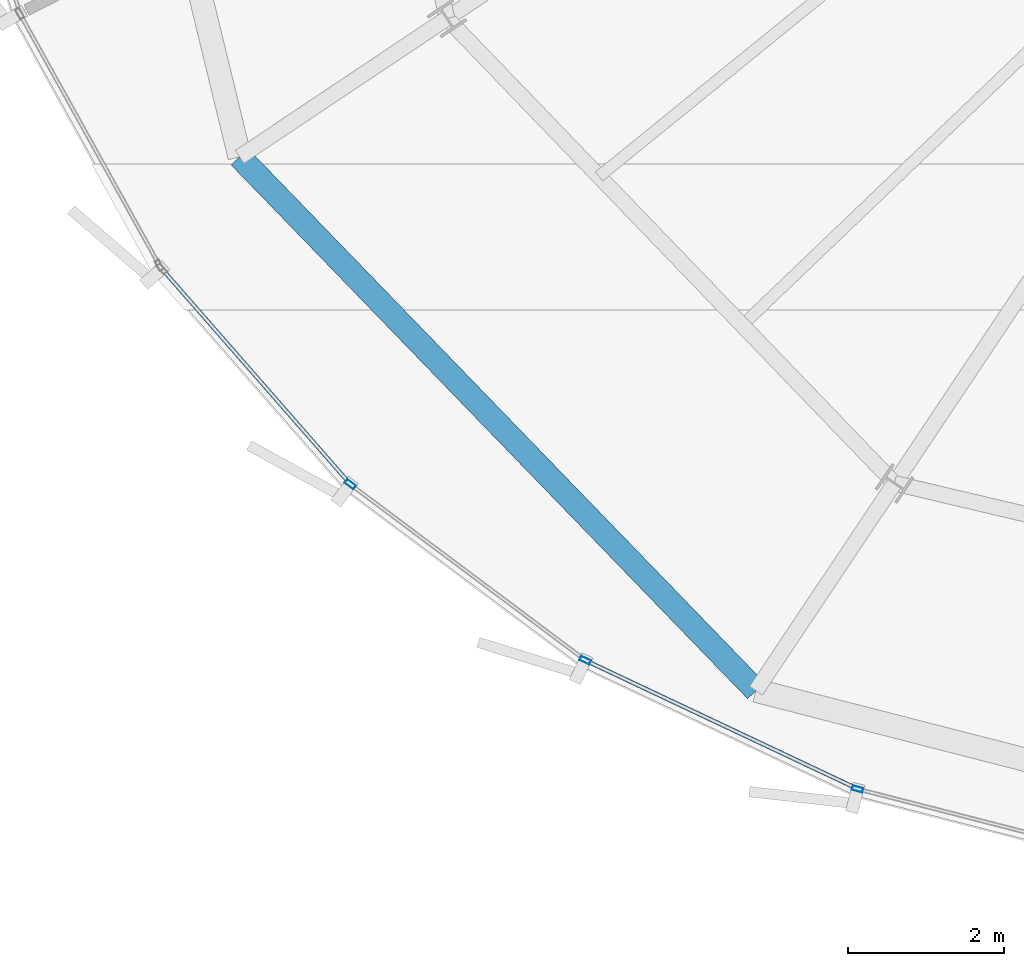
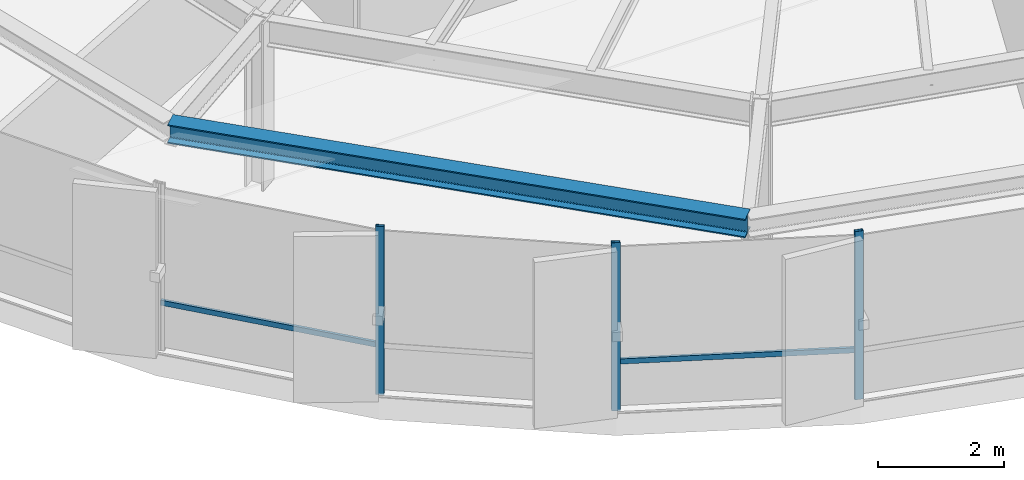
# One storey, part 2 of 36: 5 members, 1 beam, 1 element without a shape of its own.
"""IFC4 building model written with IfcOpenShell, lengths in metres."""

from ifc_helpers import new_model, si_unit, direction, frame, origin, origin_2d, place, context, subcontext, project, spatial, hollow_rectangle, i_section, extrude, source, transform, mapped, material, layer, layer_set, material_profile, profile_set, type_object, element, aggregate, save


model = new_model("IFC4")

# Units and contexts
model_context = context("Model", 3, precision=1e-05, world=origin(), true_north=direction((0.0, 1.0)))
body_context = subcontext(model_context, "Body", "Model", "MODEL_VIEW")
ifc_project = project(units=[si_unit("LENGTHUNIT", "METRE"), si_unit("AREAUNIT", "SQUARE_METRE"), si_unit("VOLUMEUNIT", "CUBIC_METRE"), si_unit("PLANEANGLEUNIT", "RADIAN"), si_unit("MASSUNIT", "GRAM", prefix="KILO"), si_unit("THERMODYNAMICTEMPERATUREUNIT", "KELVIN")], contexts=[model_context])

# Site, building, storey
site_placement = place(None, origin())
site = spatial("IfcSite", under=ifc_project, at=site_placement, CompositionType="ELEMENT")
building_placement = place(site_placement, origin())
building = spatial("IfcBuilding", under=site, at=building_placement, Name="Kethvar Cultural Tower", CompositionType="ELEMENT")
storey_placement = place(building_placement, frame((0.0, 0.0, 176.39990234375)))
storey = spatial("IfcBuildingStorey", under=building, at=storey_placement, Name="L45", CompositionType="ELEMENT", Elevation=176.39990234375)

# Beam
ifc_material_1 = material(Name="Steel S355J2", Category="steel")
ifc_material_profile_1 = material_profile(ifc_material_1, i_section(OverallWidth=0.300048828125, OverallDepth=0.360107421875, WebThickness=0.012451171875, FlangeThickness=0.0224609375, FilletRadius=0.027099609375, at=origin_2d()), Name="Steel S355J2 — HEB360")
ifc_profile_set_1 = profile_set([ifc_material_profile_1], Name="Steel S355J2 — HEB360")
beam_type = type_object("IfcBeamType", Name="BM-SP360", PredefinedType="SPANDREL", material=ifc_profile_set_1)
shared_shape_1 = source(origin(), body_context, "Body", "SweptSolid", [
    extrude(i_section(OverallWidth=0.300048828125, OverallDepth=0.360107421875, WebThickness=0.012451171875, FlangeThickness=0.0224609375, FilletRadius=0.027099609375, at=origin_2d()), origin(), (0.0, 0.0, 1.0), 9.531982421875),
])
beam_placement = place(storey_placement, frame((26.556884765625, 14.27392578125, 3.078125), z_axis=(0.695343772208, -0.71867728394, 0.0), x_axis=(0.71867728394, 0.695343772208, 0.0)))
element("IfcBeam", 1, at=beam_placement, inside=storey, type_object=beam_type, Name="L45 Perimeter Spandrel Beam SP-10", PredefinedType="SPANDREL", context=body_context, shape_type="MappedRepresentation", body=[
    mapped(shared_shape_1, transform((0.0, 0.0, 0.0), scale=1.0)),
])

# Curtain wall, members
ifc_material_2 = material(Name="Aluminium 6063-T6", Category="aluminium")
ifc_layer = layer(ifc_material_2, 0.179931640625, Name="Aluminium 6063-T6", Category="aluminium")
ifc_layer_set = layer_set([ifc_layer], Name="Aluminium 6063-T6 (180 mm)")
curtain_wall_type = type_object("IfcCurtainWallType", Name="CW-SYS-04-Z34", PredefinedType="NOTDEFINED", material=ifc_layer_set)
curtain_wall_placement = place(storey_placement, origin())
curtain_wall = element("IfcCurtainWall", 2, at=curtain_wall_placement, inside=storey, type_object=curtain_wall_type, Name="L45 Curtain Wall Run 04", PredefinedType="NOTDEFINED")
ifc_material_profile_2 = material_profile(ifc_material_2, hollow_rectangle(XDim=0.06005859375, YDim=0.139892578125, WallThickness=0.0048828125, at=origin_2d()), Name="Aluminium 6063-T6 — RHS140x60x5")
ifc_profile_set_2 = profile_set([ifc_material_profile_2], Name="Aluminium 6063-T6 — RHS140x60x5")
member_type_1 = type_object("IfcMemberType", Name="CW-SYS-04-Z34-MUL", PredefinedType="MULLION", material=ifc_profile_set_2)
shared_shape_2 = source(origin(), body_context, "Body", "SweptSolid", [
    extrude(hollow_rectangle(XDim=0.06005859375, YDim=0.139892578125, WallThickness=0.0048828125, at=origin_2d()), origin(), (0.0, 0.0, 1.0), 3.260009765625),
])
member_1_placement = place(storey_placement, frame((27.97607421875, 10.071533203125, 0.0), z_axis=(0.0, 0.0, 1.0), x_axis=(0.599023598516, 0.800731370949, 0.0)))
member_1 = element("IfcMember", 3, at=member_1_placement, type_object=member_type_1, Name="CW-L45-R04 Mullion 2", PredefinedType="MULLION", context=body_context, shape_type="MappedRepresentation", body=[
    mapped(shared_shape_2, transform((0.0, 0.0, 0.0), scale=1.0)),
])
member_2_placement = place(storey_placement, frame((30.991455078125, 7.81298828125, 0.0), z_axis=(0.0, 0.0, 1.0), x_axis=(0.426837078365, 0.904328540152, 0.0)))
member_2 = element("IfcMember", 4, at=member_2_placement, type_object=member_type_1, Name="CW-L45-R04 Mullion 3", PredefinedType="MULLION", context=body_context, shape_type="MappedRepresentation", body=[
    mapped(shared_shape_2, transform((0.0, 0.0, 0.0), scale=1.0)),
])
member_3_placement = place(storey_placement, frame((34.488037109375, 6.160400390625, 0.0), z_axis=(0.0, 0.0, 1.0), x_axis=(0.248656077083, 0.968591841453, 0.0)))
member_3 = element("IfcMember", 5, at=member_3_placement, type_object=member_type_1, Name="CW-L45-R04 Mullion 4", PredefinedType="MULLION", context=body_context, shape_type="MappedRepresentation", body=[
    mapped(shared_shape_2, transform((0.0, 0.0, 0.0), scale=1.0)),
])
ifc_material_profile_3 = material_profile(ifc_material_2, hollow_rectangle(XDim=0.050048828125, YDim=0.10009765625, WallThickness=0.00390625, at=origin_2d()), Name="Aluminium 6063-T6 — RHS100x50x4")
ifc_profile_set_3 = profile_set([ifc_material_profile_3], Name="Aluminium 6063-T6 — RHS100x50x4")
member_type_2 = type_object("IfcMemberType", Name="CW-SYS-04-Z34-TRN", PredefinedType="USERDEFINED", material=ifc_profile_set_3)
shared_shape_3 = source(origin(), body_context, "Body", "SweptSolid", [
    extrude(hollow_rectangle(XDim=0.050048828125, YDim=0.10009765625, WallThickness=0.00390625, at=origin_2d()), origin(), (0.0, 0.0, 1.0), 3.649658203125),
])
member_4_placement = place(storey_placement, frame((25.560791015625, 12.834716796875, 0.9501953125), z_axis=(0.658585115366, -0.752506243043, 0.0), x_axis=(0.752506243043, 0.658585115366, 0.0)))
member_4 = element("IfcMember", 6, at=member_4_placement, type_object=member_type_2, Name="CW-L45-R04 Transom 1", ObjectType="TRANSOM", PredefinedType="USERDEFINED", context=body_context, shape_type="MappedRepresentation", body=[
    mapped(shared_shape_3, transform((0.0, 0.0, 0.0), scale=1.0)),
])
shared_shape_4 = source(origin(), body_context, "Body", "SweptSolid", [
    extrude(hollow_rectangle(XDim=0.050048828125, YDim=0.10009765625, WallThickness=0.00390625, at=origin_2d()), origin(), (0.0, 0.0, 1.0), 3.8017578125),
])
member_5_placement = place(storey_placement, frame((31.030517578125, 7.79443359375, 0.9501953125), z_axis=(0.904343677797, -0.426805005158, 0.0), x_axis=(0.426805005158, 0.904343677797, 0.0)))
member_5 = element("IfcMember", 7, at=member_5_placement, type_object=member_type_2, Name="CW-L45-R04 Transom 3", ObjectType="TRANSOM", PredefinedType="USERDEFINED", context=body_context, shape_type="MappedRepresentation", body=[
    mapped(shared_shape_4, transform((0.0, 0.0, 0.0), scale=1.0)),
])
aggregate(curtain_wall, [member_1, member_2, member_3, member_4, member_5])

save(model, "model.ifc")
